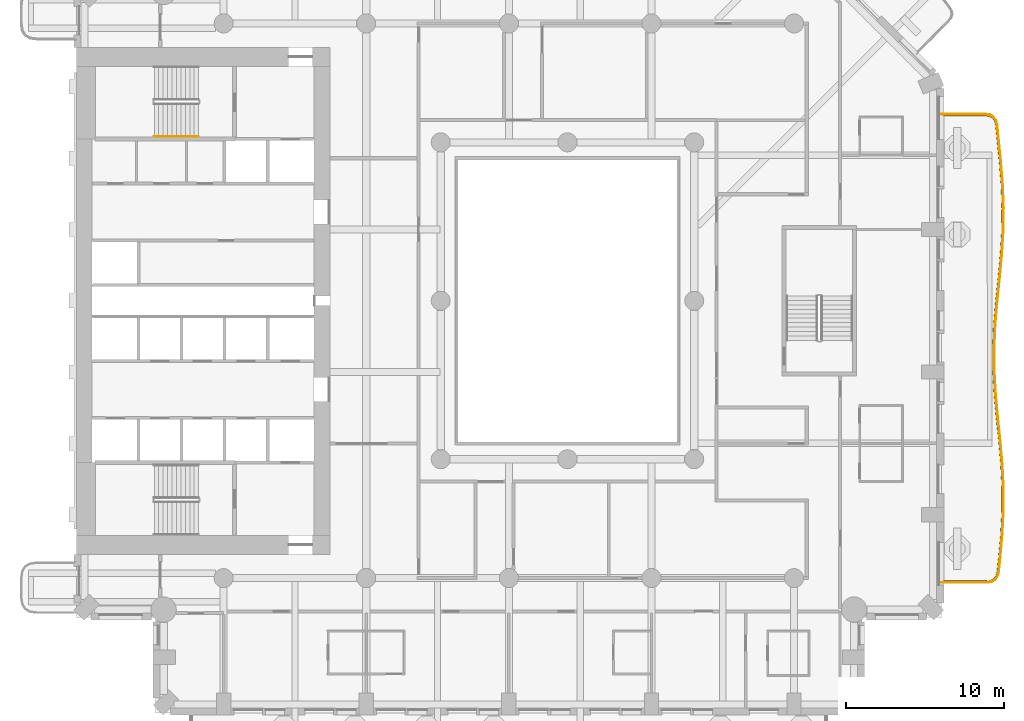
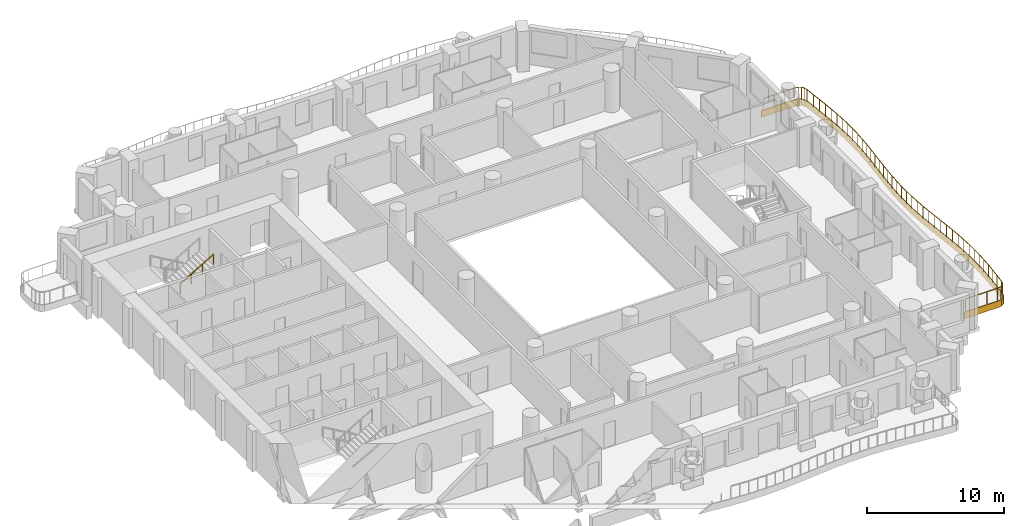
# One storey, part 15 of 19: 2 railings, 1 covering.
"""IFC4 building model written with IfcOpenShell, lengths in metres."""

from ifc_helpers import new_model, si_unit, direction, frame, origin, origin_2d, place, context, subcontext, project, spatial, polyline, rectangle, outline, extrude, material, layer, layer_set, type_object, element, save


model = new_model("IFC4")

# Units and contexts
model_context = context("Model", 3, precision=1e-05, world=origin(), true_north=direction((0.0, 1.0)))
body_context = subcontext(model_context, "Body", "Model", "MODEL_VIEW")
ifc_project = project(units=[si_unit("LENGTHUNIT", "METRE"), si_unit("AREAUNIT", "SQUARE_METRE"), si_unit("VOLUMEUNIT", "CUBIC_METRE"), si_unit("PLANEANGLEUNIT", "RADIAN"), si_unit("MASSUNIT", "GRAM", prefix="KILO")], contexts=[model_context])

# Site, building, storey
site_placement = place(None, origin())
site = spatial("IfcSite", under=ifc_project, at=site_placement, CompositionType="ELEMENT")
building_placement = place(site_placement, origin())
building = spatial("IfcBuilding", under=site, at=building_placement, Name="Cypress Arch Tower", CompositionType="ELEMENT")
storey_placement = place(building_placement, frame((0.0, 0.0, 69.89990234375)))
storey = spatial("IfcBuildingStorey", under=building, at=storey_placement, Name="L11", CompositionType="ELEMENT", Elevation=69.89990234375)

# Covering
ifc_material_1 = material(Name="White powder-coated aluminium fascia", Category="aluminium")
ifc_layer = layer(ifc_material_1, 0.050048828125)
ifc_layer_set = layer_set([ifc_layer], Name="Balcony fascia BF50")
covering_type = type_object("IfcCoveringType", Name="Balcony fascia BF50", PredefinedType="CLADDING", material=ifc_layer_set)
covering_placement = place(storey_placement, frame((0.0, 0.0, -0.599853515625)))
element("IfcCovering", 1, at=covering_placement, inside=storey, type_object=covering_type, Name="Balcony fascia L11-A06", PredefinedType="CLADDING", context=body_context, shape_type="SweptSolid", body=[
    extrude(outline(polyline([(27.364501953125, 11.800048828125), (27.673095703125, 11.7568359375), (27.911865234375, 11.6220703125), (28.06884765625, 11.3974609375), (28.141845703125, 11.094482421875), (28.220947265625, 10.280029296875), (28.371826171875, 8.804443359375), (28.490966796875, 7.327880859375), (28.5478515625, 5.8505859375), (28.527099609375, 4.373046875), (28.4345703125, 2.89599609375), (28.294189453125, 1.420166015625), (28.142333984375, -0.0546875), (28.018310546875, -1.528076171875), (27.95458984375, -3.0009765625), (27.96728515625, -4.473388671875), (28.052978515625, -5.9462890625), (28.18994140625, -7.420166015625), (28.342529296875, -8.895263671875), (28.47119140625, -10.37158203125), (28.542236328125, -11.848876953125), (28.53759765625, -13.326416015625), (28.458251953125, -14.8037109375), (28.324951171875, -16.27978515625), (28.240478515625, -17.094970703125), (28.16552734375, -17.397705078125), (28.007080078125, -17.6220703125), (27.767578125, -17.7568359375), (27.45849609375, -17.800048828125), (24.60107421875, -17.800048828125), (24.60107421875, -17.75), (27.455078125, -17.75), (27.751220703125, -17.70849609375), (27.97265625, -17.583984375), (28.119384765625, -17.376708984375), (28.191162109375, -17.086181640625), (28.275146484375, -16.27490234375), (28.408447265625, -14.800048828125), (28.487548828125, -13.324951171875), (28.492431640625, -11.85009765625), (28.421142578125, -10.375), (28.292724609375, -8.89990234375), (28.14013671875, -7.425048828125), (28.003173828125, -5.949951171875), (27.917236328125, -4.47509765625), (27.904541015625, -3.0), (27.968505859375, -1.52490234375), (28.092529296875, -0.050048828125), (28.244384765625, 1.425048828125), (28.384765625, 2.89990234375), (28.47705078125, 4.375), (28.497802734375, 5.85009765625), (28.441162109375, 7.324951171875), (28.322021484375, 8.800048828125), (28.171142578125, 10.27490234375), (28.092529296875, 11.086181640625), (28.0224609375, 11.376708984375), (27.87744140625, 11.583984375), (27.65673828125, 11.70849609375), (27.361083984375, 11.75), (24.60107421875, 11.75), (24.60107421875, 11.800048828125), (27.364501953125, 11.800048828125)])), origin(), (0.0, 0.0, 1.0), 0.599853515625),
])

# Railings
ifc_material_2 = material(Name="Powder-coated steel posts and rods, 100 mm clear between rods", Category="steel")
railing_type_1 = type_object("IfcRailingType", Name="Balcony guard GR1100", PredefinedType="GUARDRAIL", material=ifc_material_2)
railing_1_placement = place(storey_placement, frame((24.75, 11.699951171875, 0.0)))
element("IfcRailing", 2, at=railing_1_placement, inside=storey, type_object=railing_type_1, Name="Balcony guard L11-A06", PredefinedType="GUARDRAIL", context=body_context, shape_type="SweptSolid", body=[
    extrude(rectangle(XDim=0.050048828125, YDim=0.050048828125, at=origin_2d()), frame((0.0, 0.0, 1.0751953125), z_axis=(1.0, 0.0, 0.0), x_axis=(0.0, 1.0, 0.0)), (0.0, 0.0, 1.0), 2.607666015625),
    extrude(rectangle(XDim=0.050048828125, YDim=0.050048828125, at=origin_2d()), frame((2.607666015625, 0.0, 1.0751953125), z_axis=(0.990372228794, -0.138429940522, 0.0), x_axis=(0.138429940522, 0.990372228794, 0.0)), (0.0, 0.0, 1.0), 0.28564453125),
    extrude(rectangle(XDim=0.050048828125, YDim=0.050048828125, at=origin_2d()), frame((2.890625, -0.03955078125, 1.0751953125), z_axis=(0.87056283872, -0.492057256668, 0.0), x_axis=(0.492057256668, 0.87056283872, 0.0)), (0.0, 0.0, 1.0), 0.232177734375),
    extrude(rectangle(XDim=0.050048828125, YDim=0.050048828125, at=origin_2d()), frame((3.0927734375, -0.15380859375, 1.0751953125), z_axis=(0.573462344363, -0.819231920519, 0.0), x_axis=(0.819231920519, 0.573462344363, 0.0)), (0.0, 0.0, 1.0), 0.232421875),
    extrude(rectangle(XDim=0.050048828125, YDim=0.050048828125, at=origin_2d()), frame((3.22607421875, -0.34423828125, 1.0751953125), z_axis=(0.234083746596, -0.972216436592, 0.0), x_axis=(0.972216436592, 0.234083746596, 0.0)), (0.0, 0.0, 1.0), 0.285888671875),
    extrude(rectangle(XDim=0.050048828125, YDim=0.050048828125, at=origin_2d()), frame((3.29296875, -0.6220703125, 1.0751953125), z_axis=(0.096852881286, -0.995298708623, 0.0), x_axis=(0.995298708623, 0.096852881286, 0.0)), (0.0, 0.0, 1.0), 0.811767578125),
    extrude(rectangle(XDim=0.050048828125, YDim=0.050048828125, at=origin_2d()), frame((3.37158203125, -1.429931640625, 1.0751953125), z_axis=(0.101623468621, -0.994822934308, 0.0), x_axis=(0.994822934308, 0.101623468621, 0.0)), (0.0, 0.0, 1.0), 1.482177734375),
    extrude(rectangle(XDim=0.050048828125, YDim=0.050048828125, at=origin_2d()), frame((3.522216796875, -2.904541015625, 1.0751953125), z_axis=(0.080434477295, -0.996759898302, 0.0), x_axis=(0.996759898302, 0.080434477295, 0.0)), (0.0, 0.0, 1.0), 1.478271484375),
    extrude(rectangle(XDim=0.050048828125, YDim=0.050048828125, at=origin_2d()), frame((3.64111328125, -4.3779296875, 1.0751953125), z_axis=(0.038433122101, -0.999261174631, 0.0), x_axis=(0.999261174631, 0.038433122101, 0.0)), (0.0, 0.0, 1.0), 1.4736328125),
    extrude(rectangle(XDim=0.050048828125, YDim=0.050048828125, at=origin_2d()), frame((3.69775390625, -5.8505859375, 1.0751953125), z_axis=(-0.013926687713, -0.999903018982, 0.0), x_axis=(0.999903018982, -0.013926687713, 0.0)), (0.0, 0.0, 1.0), 1.47265625),
    extrude(rectangle(XDim=0.050048828125, YDim=0.050048828125, at=origin_2d()), frame((3.67724609375, -7.322998046875, 1.0751953125), z_axis=(-0.062532773143, -0.998042911043, 0.0), x_axis=(0.998042911043, -0.062532773143, 0.0)), (0.0, 0.0, 1.0), 1.475830078125),
    extrude(rectangle(XDim=0.050048828125, YDim=0.050048828125, at=origin_2d()), frame((3.5849609375, -8.7958984375, 1.0751953125), z_axis=(-0.094801312156, -0.995496213561, 0.0), x_axis=(0.995496213561, -0.094801312156, 0.0)), (0.0, 0.0, 1.0), 1.480712890625),
    extrude(rectangle(XDim=0.050048828125, YDim=0.050048828125, at=origin_2d()), frame((3.444580078125, -10.27001953125, 1.0751953125), z_axis=(-0.102388068631, -0.994744531728, 0.0), x_axis=(0.994744531728, -0.102388068631, 0.0)), (0.0, 0.0, 1.0), 1.483154296875),
    extrude(rectangle(XDim=0.050048828125, YDim=0.050048828125, at=origin_2d()), frame((3.292724609375, -11.745361328125, 1.0751953125), z_axis=(-0.083713716207, -0.99648984627, 0.0), x_axis=(0.99648984627, -0.083713716207, 0.0)), (0.0, 0.0, 1.0), 1.4814453125),
    extrude(rectangle(XDim=0.050048828125, YDim=0.050048828125, at=origin_2d()), frame((3.168701171875, -13.2216796875, 1.0751953125), z_axis=(-0.043422894312, -0.999056781294, 0.0), x_axis=(0.999056781294, -0.043422894312, 0.0)), (0.0, 0.0, 1.0), 1.478759765625),
    extrude(rectangle(XDim=0.050048828125, YDim=0.050048828125, at=origin_2d()), frame((3.1044921875, -14.698974609375, 1.0751953125), z_axis=(0.008591883779, -0.999963089085, 0.0), x_axis=(0.999963089085, 0.008591883779, 0.0)), (0.0, 0.0, 1.0), 1.4775390625),
    extrude(rectangle(XDim=0.050048828125, YDim=0.050048828125, at=origin_2d()), frame((3.1171875, -16.176513671875, 1.0751953125), z_axis=(0.058238448769, -0.998302701131, 0.0), x_axis=(0.998302701131, 0.058238448769, 0.0)), (0.0, 0.0, 1.0), 1.479736328125),
    extrude(rectangle(XDim=0.050048828125, YDim=0.050048828125, at=origin_2d()), frame((3.203369140625, -17.65380859375, 1.0751953125), z_axis=(0.092391739128, -0.995722735776, 0.0), x_axis=(0.995722735776, 0.092391739128, 0.0)), (0.0, 0.0, 1.0), 1.482421875),
    extrude(rectangle(XDim=0.050048828125, YDim=0.050048828125, at=origin_2d()), frame((3.34033203125, -19.1298828125, 1.0751953125), z_axis=(0.102910386472, -0.994690631481, 0.0), x_axis=(0.994690631481, 0.102910386472, 0.0)), (0.0, 0.0, 1.0), 1.482666015625),
    extrude(rectangle(XDim=0.050048828125, YDim=0.050048828125, at=origin_2d()), frame((3.492919921875, -20.604736328125, 1.0751953125), z_axis=(0.086814789696, -0.996224468827, 0.0), x_axis=(0.996224468827, 0.086814789696, 0.0)), (0.0, 0.0, 1.0), 1.479248046875),
    extrude(rectangle(XDim=0.050048828125, YDim=0.050048828125, at=origin_2d()), frame((3.621337890625, -22.078369140625, 1.0751953125), z_axis=(0.048186664334, -0.998838347972, 0.0), x_axis=(0.998838347972, 0.048186664334, 0.0)), (0.0, 0.0, 1.0), 1.474365234375),
    extrude(rectangle(XDim=0.050048828125, YDim=0.050048828125, at=origin_2d()), frame((3.6923828125, -23.551025390625, 1.0751953125), z_axis=(-0.00315037402, -0.999995037559, 0.0), x_axis=(0.999995037559, -0.00315037402, 0.0)), (0.0, 0.0, 1.0), 1.472412109375),
    extrude(rectangle(XDim=0.050048828125, YDim=0.050048828125, at=origin_2d()), frame((3.687744140625, -25.0234375, 1.0751953125), z_axis=(-0.053792382899, -0.998552141624, 0.0), x_axis=(0.998552141624, -0.053792382899, 0.0)), (0.0, 0.0, 1.0), 1.47509765625),
    extrude(rectangle(XDim=0.050048828125, YDim=0.050048828125, at=origin_2d()), frame((3.6083984375, -26.496337890625, 1.0751953125), z_axis=(-0.089910989514, -0.995949804942, 0.0), x_axis=(0.995949804942, -0.089910989514, 0.0)), (0.0, 0.0, 1.0), 1.47998046875),
    extrude(rectangle(XDim=0.050048828125, YDim=0.050048828125, at=origin_2d()), frame((3.475341796875, -27.97021484375, 1.0751953125), z_axis=(-0.103165952832, -0.99466415748, 0.0), x_axis=(0.99466415748, -0.103165952832, 0.0)), (0.0, 0.0, 1.0), 0.811767578125),
    extrude(rectangle(XDim=0.050048828125, YDim=0.050048828125, at=origin_2d()), frame((3.3916015625, -28.777587890625, 1.0751953125), z_axis=(-0.239724357512, -0.970840992344, 0.0), x_axis=(0.970840992344, -0.239724357512, 0.0)), (0.0, 0.0, 1.0), 0.2861328125),
    extrude(rectangle(XDim=0.050048828125, YDim=0.050048828125, at=origin_2d()), frame((3.322998046875, -29.055419921875, 1.0751953125), z_axis=(-0.57697094235, -0.816764673381, 0.0), x_axis=(0.816764673381, -0.57697094235, 0.0)), (0.0, 0.0, 1.0), 0.233154296875),
    extrude(rectangle(XDim=0.050048828125, YDim=0.050048828125, at=origin_2d()), frame((3.1884765625, -29.245849609375, 1.0751953125), z_axis=(-0.871379910866, -0.490608857379, 0.0), x_axis=(0.490608857379, -0.871379910866, 0.0)), (0.0, 0.0, 1.0), 0.2333984375),
    extrude(rectangle(XDim=0.050048828125, YDim=0.050048828125, at=origin_2d()), frame((2.985107421875, -29.3603515625, 1.0751953125), z_axis=(-0.990404895365, -0.138196031911, 0.0), x_axis=(0.138196031911, -0.990404895365, 0.0)), (0.0, 0.0, 1.0), 0.2861328125),
    extrude(rectangle(XDim=0.050048828125, YDim=0.050048828125, at=origin_2d()), frame((2.70166015625, -29.39990234375, 1.0751953125), z_axis=(-1.0, 0.0, 0.0), x_axis=(0.0, -1.0, 0.0)), (0.0, 0.0, 1.0), 2.70166015625),
    extrude(rectangle(XDim=0.0400390625, YDim=0.0400390625, at=origin_2d()), origin(), (0.0, 0.0, 1.0), 1.050048828125),
    extrude(rectangle(XDim=0.0400390625, YDim=0.0400390625, at=origin_2d()), frame((0.869140625, 0.0, 0.0)), (0.0, 0.0, 1.0), 1.050048828125),
    extrude(rectangle(XDim=0.0400390625, YDim=0.0400390625, at=origin_2d()), frame((1.738525390625, 0.0, 0.0)), (0.0, 0.0, 1.0), 1.050048828125),
    extrude(rectangle(XDim=0.0400390625, YDim=0.0400390625, at=origin_2d()), frame((2.607666015625, 0.0, 0.0)), (0.0, 0.0, 1.0), 1.050048828125),
    extrude(rectangle(XDim=0.0400390625, YDim=0.0400390625, at=origin_2d()), frame((2.890625, -0.03955078125, 0.0)), (0.0, 0.0, 1.0), 1.050048828125),
    extrude(rectangle(XDim=0.0400390625, YDim=0.0400390625, at=origin_2d()), frame((3.0927734375, -0.15380859375, 0.0)), (0.0, 0.0, 1.0), 1.050048828125),
    extrude(rectangle(XDim=0.0400390625, YDim=0.0400390625, at=origin_2d()), frame((3.22607421875, -0.34423828125, 0.0)), (0.0, 0.0, 1.0), 1.050048828125),
    extrude(rectangle(XDim=0.0400390625, YDim=0.0400390625, at=origin_2d()), frame((3.29296875, -0.6220703125, 0.0)), (0.0, 0.0, 1.0), 1.050048828125),
    extrude(rectangle(XDim=0.0400390625, YDim=0.0400390625, at=origin_2d()), frame((3.37158203125, -1.429931640625, 0.0)), (0.0, 0.0, 1.0), 1.050048828125),
    extrude(rectangle(XDim=0.0400390625, YDim=0.0400390625, at=origin_2d()), frame((3.44677734375, -2.167236328125, 0.0)), (0.0, 0.0, 1.0), 1.050048828125),
    extrude(rectangle(XDim=0.0400390625, YDim=0.0400390625, at=origin_2d()), frame((3.522216796875, -2.904541015625, 0.0)), (0.0, 0.0, 1.0), 1.050048828125),
    extrude(rectangle(XDim=0.0400390625, YDim=0.0400390625, at=origin_2d()), frame((3.58154296875, -3.64111328125, 0.0)), (0.0, 0.0, 1.0), 1.050048828125),
    extrude(rectangle(XDim=0.0400390625, YDim=0.0400390625, at=origin_2d()), frame((3.64111328125, -4.3779296875, 0.0)), (0.0, 0.0, 1.0), 1.050048828125),
    extrude(rectangle(XDim=0.0400390625, YDim=0.0400390625, at=origin_2d()), frame((3.66943359375, -5.1142578125, 0.0)), (0.0, 0.0, 1.0), 1.050048828125),
    extrude(rectangle(XDim=0.0400390625, YDim=0.0400390625, at=origin_2d()), frame((3.69775390625, -5.8505859375, 0.0)), (0.0, 0.0, 1.0), 1.050048828125),
    extrude(rectangle(XDim=0.0400390625, YDim=0.0400390625, at=origin_2d()), frame((3.6875, -6.5869140625, 0.0)), (0.0, 0.0, 1.0), 1.050048828125),
    extrude(rectangle(XDim=0.0400390625, YDim=0.0400390625, at=origin_2d()), frame((3.67724609375, -7.322998046875, 0.0)), (0.0, 0.0, 1.0), 1.050048828125),
    extrude(rectangle(XDim=0.0400390625, YDim=0.0400390625, at=origin_2d()), frame((3.631103515625, -8.0595703125, 0.0)), (0.0, 0.0, 1.0), 1.050048828125),
    extrude(rectangle(XDim=0.0400390625, YDim=0.0400390625, at=origin_2d()), frame((3.5849609375, -8.7958984375, 0.0)), (0.0, 0.0, 1.0), 1.050048828125),
    extrude(rectangle(XDim=0.0400390625, YDim=0.0400390625, at=origin_2d()), frame((3.5146484375, -9.532958984375, 0.0)), (0.0, 0.0, 1.0), 1.050048828125),
    extrude(rectangle(XDim=0.0400390625, YDim=0.0400390625, at=origin_2d()), frame((3.444580078125, -10.27001953125, 0.0)), (0.0, 0.0, 1.0), 1.050048828125),
    extrude(rectangle(XDim=0.0400390625, YDim=0.0400390625, at=origin_2d()), frame((3.36865234375, -11.0078125, 0.0)), (0.0, 0.0, 1.0), 1.050048828125),
    extrude(rectangle(XDim=0.0400390625, YDim=0.0400390625, at=origin_2d()), frame((3.292724609375, -11.745361328125, 0.0)), (0.0, 0.0, 1.0), 1.050048828125),
    extrude(rectangle(XDim=0.0400390625, YDim=0.0400390625, at=origin_2d()), frame((3.230712890625, -12.4833984375, 0.0)), (0.0, 0.0, 1.0), 1.050048828125),
    extrude(rectangle(XDim=0.0400390625, YDim=0.0400390625, at=origin_2d()), frame((3.168701171875, -13.2216796875, 0.0)), (0.0, 0.0, 1.0), 1.050048828125),
    extrude(rectangle(XDim=0.0400390625, YDim=0.0400390625, at=origin_2d()), frame((3.13671875, -13.96044921875, 0.0)), (0.0, 0.0, 1.0), 1.050048828125),
    extrude(rectangle(XDim=0.0400390625, YDim=0.0400390625, at=origin_2d()), frame((3.1044921875, -14.698974609375, 0.0)), (0.0, 0.0, 1.0), 1.050048828125),
    extrude(rectangle(XDim=0.0400390625, YDim=0.0400390625, at=origin_2d()), frame((3.11083984375, -15.437744140625, 0.0)), (0.0, 0.0, 1.0), 1.050048828125),
    extrude(rectangle(XDim=0.0400390625, YDim=0.0400390625, at=origin_2d()), frame((3.1171875, -16.176513671875, 0.0)), (0.0, 0.0, 1.0), 1.050048828125),
    extrude(rectangle(XDim=0.0400390625, YDim=0.0400390625, at=origin_2d()), frame((3.16015625, -16.9150390625, 0.0)), (0.0, 0.0, 1.0), 1.050048828125),
    extrude(rectangle(XDim=0.0400390625, YDim=0.0400390625, at=origin_2d()), frame((3.203369140625, -17.65380859375, 0.0)), (0.0, 0.0, 1.0), 1.050048828125),
    extrude(rectangle(XDim=0.0400390625, YDim=0.0400390625, at=origin_2d()), frame((3.27197265625, -18.391845703125, 0.0)), (0.0, 0.0, 1.0), 1.050048828125),
    extrude(rectangle(XDim=0.0400390625, YDim=0.0400390625, at=origin_2d()), frame((3.34033203125, -19.1298828125, 0.0)), (0.0, 0.0, 1.0), 1.050048828125),
    extrude(rectangle(XDim=0.0400390625, YDim=0.0400390625, at=origin_2d()), frame((3.41650390625, -19.8671875, 0.0)), (0.0, 0.0, 1.0), 1.050048828125),
    extrude(rectangle(XDim=0.0400390625, YDim=0.0400390625, at=origin_2d()), frame((3.492919921875, -20.604736328125, 0.0)), (0.0, 0.0, 1.0), 1.050048828125),
    extrude(rectangle(XDim=0.0400390625, YDim=0.0400390625, at=origin_2d()), frame((3.55712890625, -21.341552734375, 0.0)), (0.0, 0.0, 1.0), 1.050048828125),
    extrude(rectangle(XDim=0.0400390625, YDim=0.0400390625, at=origin_2d()), frame((3.621337890625, -22.078369140625, 0.0)), (0.0, 0.0, 1.0), 1.050048828125),
    extrude(rectangle(XDim=0.0400390625, YDim=0.0400390625, at=origin_2d()), frame((3.65673828125, -22.814697265625, 0.0)), (0.0, 0.0, 1.0), 1.050048828125),
    extrude(rectangle(XDim=0.0400390625, YDim=0.0400390625, at=origin_2d()), frame((3.6923828125, -23.551025390625, 0.0)), (0.0, 0.0, 1.0), 1.050048828125),
    extrude(rectangle(XDim=0.0400390625, YDim=0.0400390625, at=origin_2d()), frame((3.68994140625, -24.287109375, 0.0)), (0.0, 0.0, 1.0), 1.050048828125),
    extrude(rectangle(XDim=0.0400390625, YDim=0.0400390625, at=origin_2d()), frame((3.687744140625, -25.0234375, 0.0)), (0.0, 0.0, 1.0), 1.050048828125),
    extrude(rectangle(XDim=0.0400390625, YDim=0.0400390625, at=origin_2d()), frame((3.64794921875, -25.759765625, 0.0)), (0.0, 0.0, 1.0), 1.050048828125),
    extrude(rectangle(XDim=0.0400390625, YDim=0.0400390625, at=origin_2d()), frame((3.6083984375, -26.496337890625, 0.0)), (0.0, 0.0, 1.0), 1.050048828125),
    extrude(rectangle(XDim=0.0400390625, YDim=0.0400390625, at=origin_2d()), frame((3.5419921875, -27.2333984375, 0.0)), (0.0, 0.0, 1.0), 1.050048828125),
    extrude(rectangle(XDim=0.0400390625, YDim=0.0400390625, at=origin_2d()), frame((3.475341796875, -27.97021484375, 0.0)), (0.0, 0.0, 1.0), 1.050048828125),
    extrude(rectangle(XDim=0.0400390625, YDim=0.0400390625, at=origin_2d()), frame((3.3916015625, -28.777587890625, 0.0)), (0.0, 0.0, 1.0), 1.050048828125),
    extrude(rectangle(XDim=0.0400390625, YDim=0.0400390625, at=origin_2d()), frame((3.322998046875, -29.055419921875, 0.0)), (0.0, 0.0, 1.0), 1.050048828125),
    extrude(rectangle(XDim=0.0400390625, YDim=0.0400390625, at=origin_2d()), frame((3.1884765625, -29.245849609375, 0.0)), (0.0, 0.0, 1.0), 1.050048828125),
    extrude(rectangle(XDim=0.0400390625, YDim=0.0400390625, at=origin_2d()), frame((2.985107421875, -29.3603515625, 0.0)), (0.0, 0.0, 1.0), 1.050048828125),
    extrude(rectangle(XDim=0.0400390625, YDim=0.0400390625, at=origin_2d()), frame((2.70166015625, -29.39990234375, 0.0)), (0.0, 0.0, 1.0), 1.050048828125),
    extrude(rectangle(XDim=0.0400390625, YDim=0.0400390625, at=origin_2d()), frame((1.801025390625, -29.39990234375, 0.0)), (0.0, 0.0, 1.0), 1.050048828125),
    extrude(rectangle(XDim=0.0400390625, YDim=0.0400390625, at=origin_2d()), frame((0.900634765625, -29.39990234375, 0.0)), (0.0, 0.0, 1.0), 1.050048828125),
    extrude(rectangle(XDim=0.0400390625, YDim=0.0400390625, at=origin_2d()), frame((0.0, -29.39990234375, 0.0)), (0.0, 0.0, 1.0), 1.050048828125),
])
ifc_material_3 = material(Name="Black powder-coated steel square bar 48 mm", Category="steel")
railing_type_2 = type_object("IfcRailingType", Name="Stair handrail HR1", PredefinedType="HANDRAIL", material=ifc_material_3)
railing_2_placement = place(storey_placement, frame((-25.074951171875, 10.375, 1.963623046875)))
element("IfcRailing", 3, at=railing_2_placement, inside=storey, type_object=railing_type_2, Name="L11 B stair handrail 2", PredefinedType="HANDRAIL", context=body_context, shape_type="SweptSolid", body=[
    extrude(rectangle(XDim=0.048095703125, YDim=0.048095703125, at=origin_2d()), frame((0.0, 0.0, 0.8759765625), z_axis=(0.863360870873, 0.0, 0.504586966384), x_axis=(0.0, 1.0, 0.0)), (0.0, 0.0, 1.0), 3.2431640625),
    extrude(rectangle(XDim=0.0419921875, YDim=0.0419921875, at=origin_2d()), origin(), (0.0, 0.0, 1.0), 0.851806640625),
    extrude(rectangle(XDim=0.0419921875, YDim=0.0419921875, at=origin_2d()), frame((0.933349609375, 0.0, 0.54541015625)), (0.0, 0.0, 1.0), 0.851806640625),
    extrude(rectangle(XDim=0.0419921875, YDim=0.0419921875, at=origin_2d()), frame((1.86669921875, 0.0, 1.091064453125)), (0.0, 0.0, 1.0), 0.851806640625),
    extrude(rectangle(XDim=0.0419921875, YDim=0.0419921875, at=origin_2d()), frame((2.800048828125, 0.0, 1.636474609375)), (0.0, 0.0, 1.0), 0.851806640625),
])

save(model, "model.ifc")
